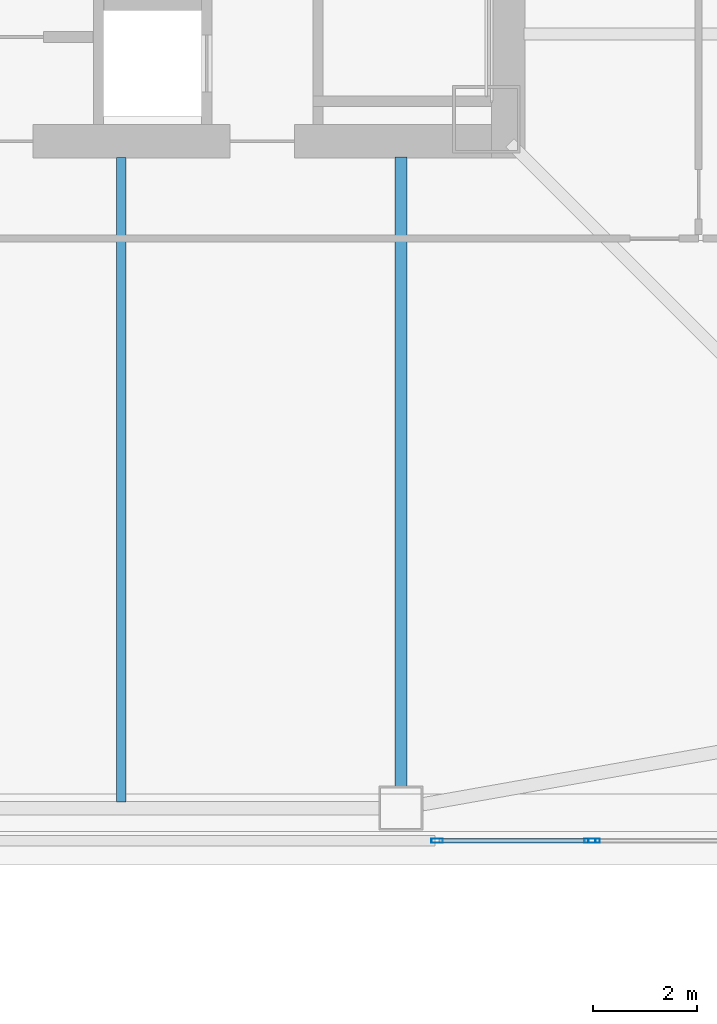
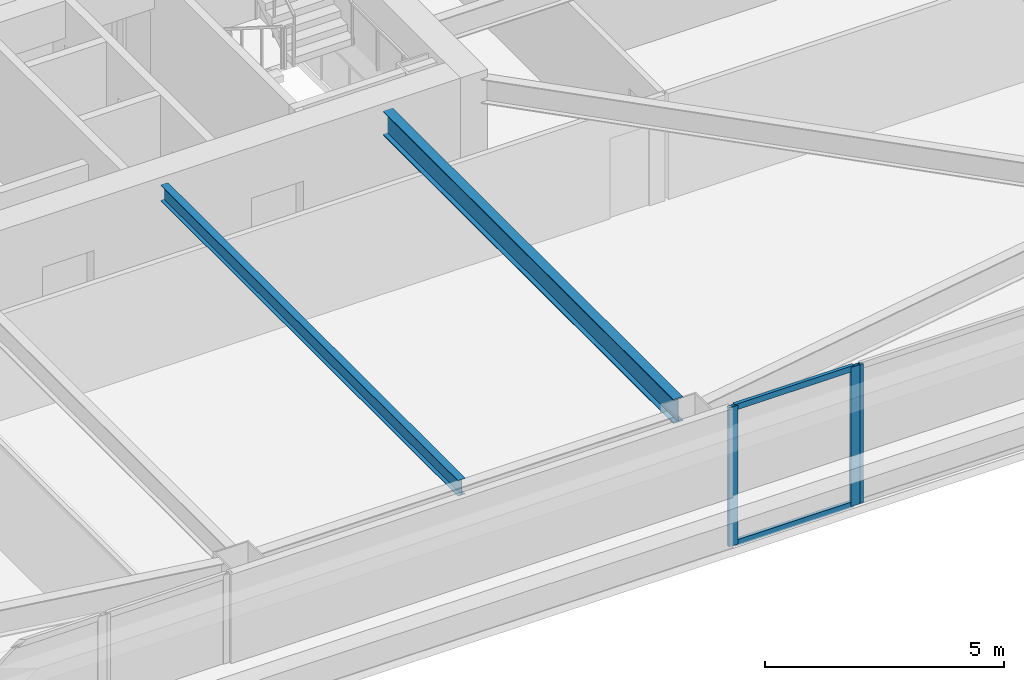
# One storey, part 5 of 46: 5 members, 2 beams, 2 elements without a shape of their own.
"""IFC4 building model written with IfcOpenShell, lengths in metres."""

from ifc_helpers import new_model, si_unit, direction, frame, origin, origin_2d, place, context, subcontext, project, spatial, hollow_rectangle, i_section, extrude, material, material_profile, profile_set, type_object, element, aggregate, save


model = new_model("IFC4")

# Units and contexts
model_context = context("Model", 3, precision=1e-05, world=origin(), true_north=direction((0.0, 1.0)))
body_context = subcontext(model_context, "Body", "Model", "MODEL_VIEW")
ifc_project = project(units=[si_unit("LENGTHUNIT", "METRE"), si_unit("AREAUNIT", "SQUARE_METRE"), si_unit("VOLUMEUNIT", "CUBIC_METRE"), si_unit("PLANEANGLEUNIT", "RADIAN"), si_unit("MASSUNIT", "GRAM", prefix="KILO")], contexts=[model_context])

# Site, building, storey
site_placement = place(None, origin())
site = spatial("IfcSite", under=ifc_project, at=site_placement, CompositionType="ELEMENT")
building_placement = place(site_placement, origin())
building = spatial("IfcBuilding", under=site, at=building_placement, Name="Tashvorn Skyway Center", CompositionType="ELEMENT")
storey_placement = place(building_placement, frame((0.0, 0.0, 99.14990234375)))
storey = spatial("IfcBuildingStorey", under=building, at=storey_placement, Name="L26", CompositionType="ELEMENT", Elevation=99.14990234375)

# Beams
ifc_material_1 = material(Name="Steel ASTM A992 Grade 50", Category="steel")
ifc_material_profile_1 = material_profile(ifc_material_1, i_section(OverallWidth=0.22998046875, OverallDepth=0.616943359375, WebThickness=0.01318359375, FlangeThickness=0.022216796875, at=origin_2d()), Name="W24X94")
ifc_profile_set_1 = profile_set([ifc_material_profile_1], Name="Steel ASTM A992 Grade 50")
beam_type_1 = type_object("IfcBeamType", Name="BM-BEAM-W24X94", PredefinedType="BEAM", material=ifc_profile_set_1)
beam_1_placement = place(storey_placement, frame((47.39990234375, 12.070068359375, 3.04150390625), z_axis=(0.0, 1.0, 0.0), x_axis=(-1.0, 0.0, 0.0)))
element("IfcBeam", 1, at=beam_1_placement, inside=storey, type_object=beam_type_1, Name="Tower 1 L26 Primary Floor Girder FC-S2", PredefinedType="BEAM", context=body_context, shape_type="SweptSolid", body=[
    extrude(i_section(OverallWidth=0.22998046875, OverallDepth=0.616943359375, WebThickness=0.01318359375, FlangeThickness=0.022216796875, at=origin_2d()), origin(), (0.0, 0.0, 1.0), 12.14990234375),
])
ifc_material_profile_2 = material_profile(ifc_material_1, i_section(OverallWidth=0.177978515625, OverallDepth=0.406005859375, WebThickness=0.0078125, FlangeThickness=0.0126953125, at=origin_2d()), Name="W16X40")
ifc_profile_set_2 = profile_set([ifc_material_profile_2], Name="Steel ASTM A992 Grade 50")
beam_type_2 = type_object("IfcBeamType", Name="BM-JOIST-W16X40", PredefinedType="JOIST", material=ifc_profile_set_2)
beam_2_placement = place(storey_placement, frame((42.0, 24.2099609375, 3.147216796875), z_axis=(0.0, -1.0, 0.0), x_axis=(1.0, 0.0, 0.0)))
element("IfcBeam", 2, at=beam_2_placement, inside=storey, type_object=beam_type_2, Name="Tower 1 L26 Secondary Composite Joist JS", PredefinedType="JOIST", context=body_context, shape_type="SweptSolid", body=[
    extrude(i_section(OverallWidth=0.177978515625, OverallDepth=0.406005859375, WebThickness=0.0078125, FlangeThickness=0.0126953125, at=origin_2d()), origin(), (0.0, 0.0, 1.0), 12.43994140625),
])

# Curtain wall, member
ifc_material_2 = material(Name="Thermally broken bronze-anodized aluminium 6063-T6", Category="aluminium")
curtain_wall_type = type_object("IfcCurtainWallType", Name="CW-CW-Z2", PredefinedType="NOTDEFINED", material=ifc_material_2)
curtain_wall_1_placement = place(storey_placement, origin())
curtain_wall_1 = element("IfcCurtainWall", 3, at=curtain_wall_1_placement, inside=storey, type_object=curtain_wall_type, Name="Tower 1 L26 South Unitised Curtain Wall Glazing Group 1", PredefinedType="NOTDEFINED")
ifc_material_profile_3 = material_profile(ifc_material_2, hollow_rectangle(XDim=0.080078125, YDim=0.219970703125, WallThickness=0.0048828125, at=origin_2d()), Name="ALU-MULL-80x220")
ifc_profile_set_3 = profile_set([ifc_material_profile_3], Name="Thermally broken bronze-anodized aluminium 6063-T6")
member_type_1 = type_object("IfcMemberType", Name="CWM-CW-Z2", PredefinedType="MULLION", material=ifc_profile_set_3)
member_1_placement = place(storey_placement, frame((51.1298828125, 11.02001953125, 0.0), z_axis=(0.0, 0.0, 1.0), x_axis=(0.0, -1.0, 0.0)))
member_1 = element("IfcMember", 4, at=member_1_placement, type_object=member_type_1, Name="CW-Z2 mullion 2", PredefinedType="MULLION", context=body_context, shape_type="SweptSolid", body=[
    extrude(hollow_rectangle(XDim=0.080078125, YDim=0.219970703125, WallThickness=0.0048828125, at=origin_2d()), origin(), (0.0, 0.0, 1.0), 3.550048828125),
])
aggregate(curtain_wall_1, [member_1])

# Curtain wall, members
curtain_wall_2_placement = place(storey_placement, origin())
curtain_wall_2 = element("IfcCurtainWall", 5, at=curtain_wall_2_placement, inside=storey, type_object=curtain_wall_type, Name="Tower 1 L26 South Unitised Curtain Wall Glazing Group 2", PredefinedType="NOTDEFINED")
member_2_placement = place(storey_placement, frame((51.050048828125, 11.02001953125, 0.0), z_axis=(0.0, 0.0, 1.0), x_axis=(0.0, -1.0, 0.0)))
member_2 = element("IfcMember", 6, at=member_2_placement, type_object=member_type_1, Name="CW-Z2 mullion 1", PredefinedType="MULLION", context=body_context, shape_type="SweptSolid", body=[
    extrude(hollow_rectangle(XDim=0.080078125, YDim=0.219970703125, WallThickness=0.0048828125, at=origin_2d()), origin(), (0.0, 0.0, 1.0), 3.550048828125),
])
member_3_placement = place(storey_placement, frame((48.10009765625, 11.02001953125, 0.0), z_axis=(0.0, 0.0, 1.0), x_axis=(0.0, -1.0, 0.0)))
member_3 = element("IfcMember", 7, at=member_3_placement, type_object=member_type_1, Name="CW-Z2 mullion 2", PredefinedType="MULLION", context=body_context, shape_type="SweptSolid", body=[
    extrude(hollow_rectangle(XDim=0.080078125, YDim=0.219970703125, WallThickness=0.0048828125, at=origin_2d()), origin(), (0.0, 0.0, 1.0), 3.550048828125),
])
ifc_material_profile_4 = material_profile(ifc_material_2, hollow_rectangle(XDim=0.080078125, YDim=0.14990234375, WallThickness=0.00439453125, at=origin_2d()), Name="ALU-TRAN-80x150")
ifc_profile_set_4 = profile_set([ifc_material_profile_4], Name="Thermally broken bronze-anodized aluminium 6063-T6")
member_type_2 = type_object("IfcMemberType", Name="CWT-CW-Z2", PredefinedType="USERDEFINED", material=ifc_profile_set_4)
member_4_placement = place(storey_placement, frame((51.010009765625, 11.02001953125, 0.0400390625), z_axis=(-1.0, 0.0, 0.0), x_axis=(0.0, -1.0, 0.0)))
member_4 = element("IfcMember", 8, at=member_4_placement, type_object=member_type_2, Name="CW-Z2 transom 1.1", ObjectType="TRANSOM", PredefinedType="USERDEFINED", context=body_context, shape_type="SweptSolid", body=[
    extrude(hollow_rectangle(XDim=0.080078125, YDim=0.14990234375, WallThickness=0.00439453125, at=origin_2d()), origin(), (0.0, 0.0, 1.0), 2.8701171875),
])
member_5_placement = place(storey_placement, frame((51.010009765625, 11.02001953125, 3.510009765625), z_axis=(-1.0, 0.0, 0.0), x_axis=(0.0, -1.0, 0.0)))
member_5 = element("IfcMember", 9, at=member_5_placement, type_object=member_type_2, Name="CW-Z2 transom 1.2", ObjectType="TRANSOM", PredefinedType="USERDEFINED", context=body_context, shape_type="SweptSolid", body=[
    extrude(hollow_rectangle(XDim=0.080078125, YDim=0.14990234375, WallThickness=0.00439453125, at=origin_2d()), origin(), (0.0, 0.0, 1.0), 2.8701171875),
])
aggregate(curtain_wall_2, [member_2, member_3, member_4, member_5])

save(model, "model.ifc")
